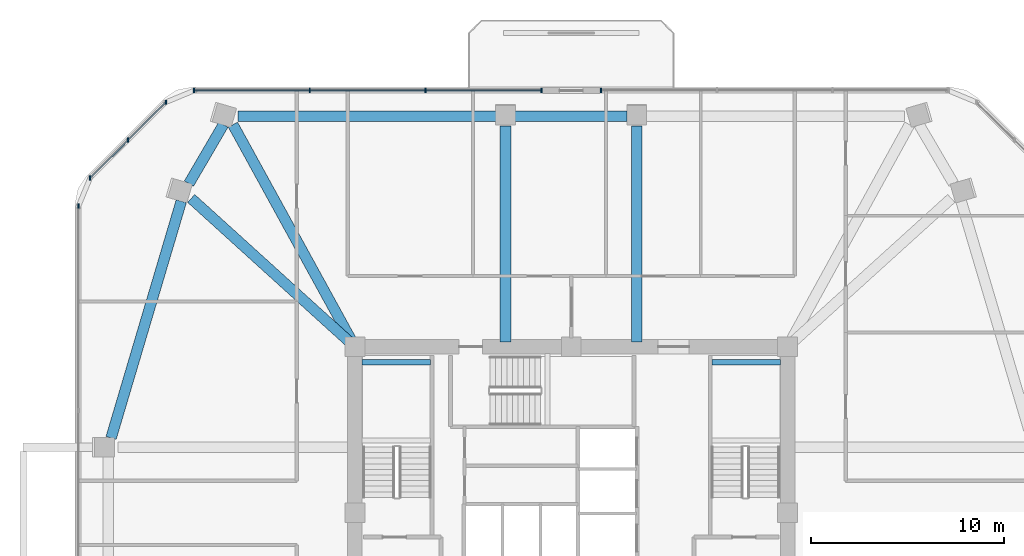
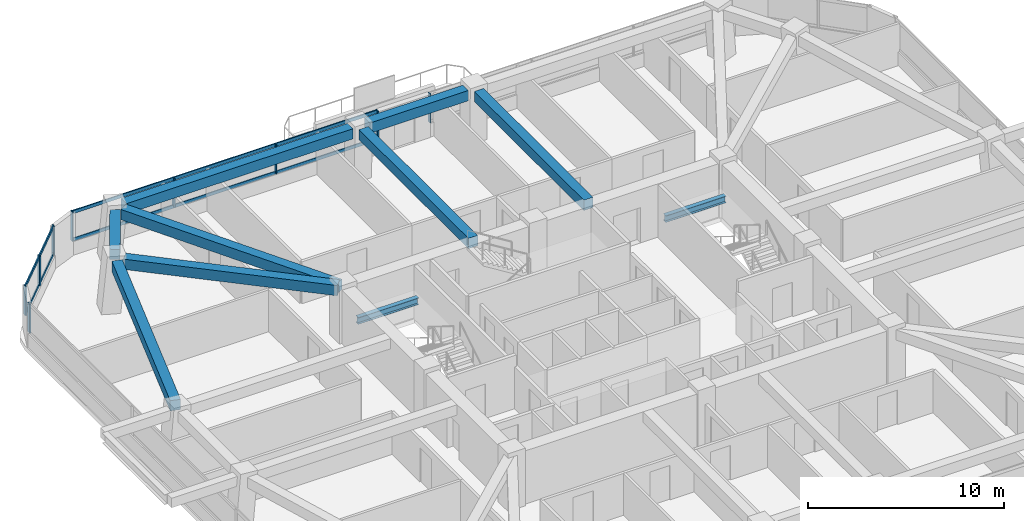
# One storey, part 5 of 13: 13 members, 10 beams, 4 elements without a shape of their own.
"""IFC4 building model written with IfcOpenShell, lengths in metres."""

from ifc_helpers import new_model, si_unit, derived_unit, direction, frame, origin, origin_2d, place, context, subcontext, project, spatial, rectangle, i_section, extrude, material, material_profile, profile_set, type_object, element, aggregate, save


model = new_model("IFC4")

# Units and contexts
model_context = context("Model", 3, precision=1e-05, world=origin(), true_north=direction((0.0, 1.0)))
body_context = subcontext(model_context, "Body", "Model", "MODEL_VIEW")
ifc_project = project(units=[si_unit("LENGTHUNIT", "METRE"), si_unit("AREAUNIT", "SQUARE_METRE"), si_unit("VOLUMEUNIT", "CUBIC_METRE"), si_unit("PLANEANGLEUNIT", "RADIAN"), si_unit("MASSUNIT", "GRAM", prefix="KILO"), derived_unit("THERMALTRANSMITTANCEUNIT", [(si_unit("POWERUNIT", "WATT"), 1), (si_unit("LENGTHUNIT", "METRE"), -2), (si_unit("THERMODYNAMICTEMPERATUREUNIT", "KELVIN"), -1)])], contexts=[model_context])

# Site, building, storey
site_placement = place(None, origin())
site = spatial("IfcSite", under=ifc_project, at=site_placement, CompositionType="ELEMENT")
building_placement = place(site_placement, origin())
building = spatial("IfcBuilding", under=site, at=building_placement, Name="Koralith Skygarden Medical Center", CompositionType="ELEMENT")
storey_placement = place(building_placement, frame((0.0, 0.0, 102.780029296875)))
storey = spatial("IfcBuildingStorey", under=building, at=storey_placement, Name="L26", CompositionType="ELEMENT", Elevation=102.780029296875)

# Curtain wall, member
ifc_material_1 = material(Name="Clear Laminated Glass", Category="glass")
curtain_wall_type = type_object("IfcCurtainWallType", Name="CW-3 Zone 2 Faceted Solar Curtain Wall", PredefinedType="NOTDEFINED", material=ifc_material_1)
curtain_wall_1_placement = place(storey_placement, origin())
curtain_wall_1 = element("IfcCurtainWall", 1, at=curtain_wall_1_placement, inside=storey, type_object=curtain_wall_type, Name="Curtain Wall CW-L26-N-L", PredefinedType="NOTDEFINED")
ifc_material_2 = material(Name="Aluminium 6063-T6", Category="aluminium")
ifc_material_profile_1 = material_profile(ifc_material_2, rectangle(XDim=0.073974609375, YDim=0.219970703125, at=origin_2d()), Name="MUL74X220")
ifc_profile_set_1 = profile_set([ifc_material_profile_1], Name="Aluminium 6063-T6")
member_type_1 = type_object("IfcMemberType", Name="CW-3 Extruded Mullion 74x220", PredefinedType="MULLION", material=ifc_profile_set_1)
member_1_placement = place(storey_placement, frame((38.541015625, 47.76611328125, 0.849853515625), z_axis=(0.0, 0.0, 1.0), x_axis=(1.0, 0.0, 0.0)))
member_1 = element("IfcMember", 2, at=member_1_placement, type_object=member_type_1, Name="CW-L26-N-L Mullion 4", PredefinedType="MULLION", context=body_context, shape_type="SweptSolid", body=[
    extrude(rectangle(XDim=0.073974609375, YDim=0.219970703125, at=origin_2d()), origin(), (0.0, 0.0, 1.0), 1.820068359375),
])
aggregate(curtain_wall_1, [member_1])

# Curtain wall, members
curtain_wall_2_placement = place(storey_placement, origin())
curtain_wall_2 = element("IfcCurtainWall", 3, at=curtain_wall_2_placement, inside=storey, type_object=curtain_wall_type, Name="Curtain Wall CW-L26-N-R", PredefinedType="NOTDEFINED")
member_2_placement = place(storey_placement, frame((35.4609375, 47.76611328125, 0.849853515625), z_axis=(0.0, 0.0, 1.0), x_axis=(1.0, 0.0, 0.0)))
member_2 = element("IfcMember", 4, at=member_2_placement, type_object=member_type_1, Name="CW-L26-N-R Mullion 1", PredefinedType="MULLION", context=body_context, shape_type="SweptSolid", body=[
    extrude(rectangle(XDim=0.073974609375, YDim=0.219970703125, at=origin_2d()), origin(), (0.0, 0.0, 1.0), 1.820068359375),
])
member_3_placement = place(storey_placement, frame((29.4619140625, 47.76611328125, 0.849853515625), z_axis=(0.0, 0.0, 1.0), x_axis=(1.0, 0.0, 0.0)))
member_3 = element("IfcMember", 5, at=member_3_placement, type_object=member_type_1, Name="CW-L26-N-R Mullion 2", PredefinedType="MULLION", context=body_context, shape_type="SweptSolid", body=[
    extrude(rectangle(XDim=0.073974609375, YDim=0.219970703125, at=origin_2d()), origin(), (0.0, 0.0, 1.0), 1.820068359375),
])
member_4_placement = place(storey_placement, frame((23.462890625, 47.76611328125, 0.849853515625), z_axis=(0.0, 0.0, 1.0), x_axis=(1.0, 0.0, 0.0)))
member_4 = element("IfcMember", 6, at=member_4_placement, type_object=member_type_1, Name="CW-L26-N-R Mullion 3", PredefinedType="MULLION", context=body_context, shape_type="SweptSolid", body=[
    extrude(rectangle(XDim=0.073974609375, YDim=0.219970703125, at=origin_2d()), origin(), (0.0, 0.0, 1.0), 1.820068359375),
])
member_5_placement = place(storey_placement, frame((17.464111328125, 47.76611328125, 0.849853515625), z_axis=(0.0, 0.0, 1.0), x_axis=(1.0, 0.0, 0.0)))
member_5 = element("IfcMember", 7, at=member_5_placement, type_object=member_type_1, Name="CW-L26-N-R Mullion 4", PredefinedType="MULLION", context=body_context, shape_type="SweptSolid", body=[
    extrude(rectangle(XDim=0.073974609375, YDim=0.219970703125, at=origin_2d()), origin(), (0.0, 0.0, 1.0), 1.820068359375),
])

curtain_wall_3_placement = place(storey_placement, origin())
curtain_wall_3 = element("IfcCurtainWall", 8, at=curtain_wall_3_placement, inside=storey, type_object=curtain_wall_type, Name="Curtain Wall CW-L26-NW", PredefinedType="NOTDEFINED")
member_6_placement = place(storey_placement, frame((16.012939453125, 47.1650390625, 0.849853515625), z_axis=(0.0, 0.0, 1.0), x_axis=(1.0, 0.0, 0.0)))
member_6 = element("IfcMember", 9, at=member_6_placement, type_object=member_type_1, Name="CW-L26-NW Mullion 1", PredefinedType="MULLION", context=body_context, shape_type="SweptSolid", body=[
    extrude(rectangle(XDim=0.073974609375, YDim=0.219970703125, at=origin_2d()), origin(), (0.0, 0.0, 1.0), 1.820068359375),
])
member_7_placement = place(storey_placement, frame((14.052001953125, 45.202880859375, 0.849853515625), z_axis=(0.0, 0.0, 1.0), x_axis=(1.0, 0.0, 0.0)))
member_7 = element("IfcMember", 10, at=member_7_placement, type_object=member_type_1, Name="CW-L26-NW Mullion 2", PredefinedType="MULLION", context=body_context, shape_type="SweptSolid", body=[
    extrude(rectangle(XDim=0.073974609375, YDim=0.219970703125, at=origin_2d()), origin(), (0.0, 0.0, 1.0), 1.820068359375),
])
member_8_placement = place(storey_placement, frame((12.090087890625, 43.241943359375, 0.849853515625), z_axis=(0.0, 0.0, 1.0), x_axis=(1.0, 0.0, 0.0)))
member_8 = element("IfcMember", 11, at=member_8_placement, type_object=member_type_1, Name="CW-L26-NW Mullion 3", PredefinedType="MULLION", context=body_context, shape_type="SweptSolid", body=[
    extrude(rectangle(XDim=0.073974609375, YDim=0.219970703125, at=origin_2d()), origin(), (0.0, 0.0, 1.0), 1.820068359375),
])

# Curtain wall, member
curtain_wall_4_placement = place(storey_placement, origin())
curtain_wall_4 = element("IfcCurtainWall", 12, at=curtain_wall_4_placement, inside=storey, type_object=curtain_wall_type, Name="Curtain Wall CW-L26-W", PredefinedType="NOTDEFINED")
member_9_placement = place(storey_placement, frame((11.489013671875, 41.791015625, 0.849853515625), z_axis=(0.0, 0.0, 1.0), x_axis=(1.0, 0.0, 0.0)))
member_9 = element("IfcMember", 13, at=member_9_placement, type_object=member_type_1, Name="CW-L26-W Mullion 1", PredefinedType="MULLION", context=body_context, shape_type="SweptSolid", body=[
    extrude(rectangle(XDim=0.073974609375, YDim=0.219970703125, at=origin_2d()), origin(), (0.0, 0.0, 1.0), 1.820068359375),
])
aggregate(curtain_wall_4, [member_9])

# Member
ifc_material_profile_2 = material_profile(ifc_material_2, rectangle(XDim=0.069091796875, YDim=0.197998046875, at=origin_2d()), Name="TRN69X198")
ifc_profile_set_2 = profile_set([ifc_material_profile_2], Name="Aluminium 6063-T6")
member_type_2 = type_object("IfcMemberType", Name="CW-3 Thermal Transom 69x198", PredefinedType="USERDEFINED", material=ifc_profile_set_2)
member_10_placement = place(storey_placement, frame((35.4609375, 47.76611328125, 0.89990234375), z_axis=(-1.0, 0.0, 0.0), x_axis=(0.0, -1.0, 0.0)))
member_10 = element("IfcMember", 14, at=member_10_placement, type_object=member_type_2, Name="CW-L26-N-R Transom 1", ObjectType="TRANSOM", PredefinedType="USERDEFINED", context=body_context, shape_type="SweptSolid", body=[
    extrude(rectangle(XDim=0.069091796875, YDim=0.197998046875, at=origin_2d()), origin(), (0.0, 0.0, 1.0), 17.996826171875),
])

member_11_placement = place(storey_placement, frame((35.4609375, 47.76611328125, 2.619873046875), z_axis=(-1.0, 0.0, 0.0), x_axis=(0.0, -1.0, 0.0)))
member_11 = element("IfcMember", 15, at=member_11_placement, type_object=member_type_2, Name="CW-L26-N-R Transom 2", ObjectType="TRANSOM", PredefinedType="USERDEFINED", context=body_context, shape_type="SweptSolid", body=[
    extrude(rectangle(XDim=0.069091796875, YDim=0.197998046875, at=origin_2d()), origin(), (0.0, 0.0, 1.0), 17.996826171875),
])

aggregate(curtain_wall_2, [member_2, member_3, member_4, member_5, member_10, member_11])

member_12_placement = place(storey_placement, frame((16.012939453125, 47.1650390625, 0.89990234375), z_axis=(-0.707084777957, -0.707128783731, 0.0), x_axis=(0.707128783731, -0.707084777957, 0.0)))
member_12 = element("IfcMember", 16, at=member_12_placement, type_object=member_type_2, Name="CW-L26-NW Transom 1", ObjectType="TRANSOM", PredefinedType="USERDEFINED", context=body_context, shape_type="SweptSolid", body=[
    extrude(rectangle(XDim=0.069091796875, YDim=0.197998046875, at=origin_2d()), origin(), (0.0, 0.0, 1.0), 5.5478515625),
])

member_13_placement = place(storey_placement, frame((16.012939453125, 47.1650390625, 2.619873046875), z_axis=(-0.707084777957, -0.707128783731, 0.0), x_axis=(0.707128783731, -0.707084777957, 0.0)))
member_13 = element("IfcMember", 17, at=member_13_placement, type_object=member_type_2, Name="CW-L26-NW Transom 2", ObjectType="TRANSOM", PredefinedType="USERDEFINED", context=body_context, shape_type="SweptSolid", body=[
    extrude(rectangle(XDim=0.069091796875, YDim=0.197998046875, at=origin_2d()), origin(), (0.0, 0.0, 1.0), 5.5478515625),
])

aggregate(curtain_wall_3, [member_6, member_7, member_8, member_12, member_13])

# Beams
ifc_material_3 = material(Name="Steel ASTM A992 Grade 50", Category="steel")
ifc_material_profile_3 = material_profile(ifc_material_3, i_section(OverallWidth=0.260009765625, OverallDepth=0.4150390625, WebThickness=0.010009765625, FlangeThickness=0.016845703125, at=origin_2d()), Name="W16X67")
ifc_profile_set_3 = profile_set([ifc_material_profile_3], Name="Steel ASTM A992 Grade 50")
beam_type_1 = type_object("IfcBeamType", Name="Clinical Floor Joist W16X67", PredefinedType="JOIST", material=ifc_profile_set_3)
for number, where, z_axis, x_axis, name in (
    (18, (26.155029296875, 33.699951171875, 1.39208984375), (1.0, 0.0, 0.0), (0.0, 1.0, 0.0), "L26 Stair ST1 Half-Landing Support Beam 1B"),
    (19, (44.280029296875, 33.699951171875, 1.39208984375), (1.0, 0.0, 0.0), (0.0, 1.0, 0.0), "L26 Stair ST2 Half-Landing Support Beam 1B"),
):
    element("IfcBeam", number, at=place(storey_placement, frame(where, z_axis=z_axis, x_axis=x_axis)), inside=storey, type_object=beam_type_1, Name=name, PredefinedType="JOIST", context=body_context, shape_type="SweptSolid", body=[
        extrude(i_section(OverallWidth=0.260009765625, OverallDepth=0.4150390625, WebThickness=0.010009765625, FlangeThickness=0.016845703125, at=origin_2d()), origin(), (0.0, 0.0, 1.0), 3.56494140625),
    ])
ifc_material_4 = material(Name="Concrete C45/55", Category="concrete")
ifc_material_profile_4 = material_profile(ifc_material_4, rectangle(XDim=0.550048828125, YDim=0.639892578125, at=origin_2d()), Name="RCB550X640")
ifc_profile_set_4 = profile_set([ifc_material_profile_4], Name="Concrete C45/55")
beam_type_2 = type_object("IfcBeamType", Name="Radial Collector Beam RCB550X640", PredefinedType="BEAM", material=ifc_profile_set_4)
for number, where, z_axis, x_axis, name in (
    (20, (40.39990234375, 34.75, 3.0), (0.0, 1.0, 0.0), (-1.0, 0.0, 0.0), "L26 Radial Collector Beam RB-12"),
    (21, (33.60009765625, 34.75, 3.0), (0.0, 1.0, 0.0), (-1.0, 0.0, 0.0), "L26 Radial Collector Beam RB-13"),
):
    element("IfcBeam", number, at=place(storey_placement, frame(where, z_axis=z_axis, x_axis=x_axis)), inside=storey, type_object=beam_type_2, Name=name, PredefinedType="BEAM", context=body_context, shape_type="SweptSolid", body=[
        extrude(rectangle(XDim=0.550048828125, YDim=0.639892578125, at=origin_2d()), origin(), (0.0, 0.0, 1.0), 11.18798828125),
    ])
beam_1_placement = place(storey_placement, frame((25.679931640625, 34.718994140625, 3.0), z_axis=(-0.481411133135, 0.876494906371, 0.0), x_axis=(-0.876494906371, -0.481411133135, 0.0)))
element("IfcBeam", 22, at=beam_1_placement, inside=storey, type_object=beam_type_2, Name="L26 Radial Collector Beam RB-14", PredefinedType="BEAM", context=body_context, shape_type="SweptSolid", body=[
    extrude(rectangle(XDim=0.550048828125, YDim=0.639892578125, at=origin_2d()), origin(), (0.0, 0.0, 1.0), 12.87060546875),
])
beam_2_placement = place(storey_placement, frame((25.614990234375, 34.66796875, 3.0), z_axis=(-0.741061587835, 0.671437058134, 0.0), x_axis=(-0.671437058134, -0.741061587835, 0.0)))
element("IfcBeam", 23, at=beam_2_placement, inside=storey, type_object=beam_type_2, Name="L26 Radial Collector Beam RB-15", PredefinedType="BEAM", context=body_context, shape_type="SweptSolid", body=[
    extrude(rectangle(XDim=0.550048828125, YDim=0.639892578125, at=origin_2d()), origin(), (0.0, 0.0, 1.0), 11.189453125),
])
ifc_material_profile_5 = material_profile(ifc_material_4, rectangle(XDim=0.550048828125, YDim=0.639892578125, at=origin_2d()), Name="RCB550X640")
ifc_profile_set_5 = profile_set([ifc_material_profile_5], Name="Concrete C45/55")
beam_type_3 = type_object("IfcBeamType", Name="Zone 2-3 Spandrel Beam RCB550X640", PredefinedType="SPANDREL", material=ifc_profile_set_5)
beam_3_placement = place(storey_placement, frame((39.89990234375, 46.43798828125, 3.0), z_axis=(-1.0, 0.0, 0.0), x_axis=(0.0, -1.0, 0.0)))
element("IfcBeam", 24, at=beam_3_placement, inside=storey, type_object=beam_type_3, Name="L26 Perimeter Spandrel Beam SP-12", PredefinedType="SPANDREL", context=body_context, shape_type="SweptSolid", body=[
    extrude(rectangle(XDim=0.550048828125, YDim=0.639892578125, at=origin_2d()), origin(), (0.0, 0.0, 1.0), 5.7998046875),
])
beam_4_placement = place(storey_placement, frame((33.10009765625, 46.43798828125, 3.0), z_axis=(-1.0, 0.0, 0.0), x_axis=(0.0, -1.0, 0.0)))
element("IfcBeam", 25, at=beam_4_placement, inside=storey, type_object=beam_type_3, Name="L26 Perimeter Spandrel Beam SP-13", PredefinedType="SPANDREL", context=body_context, shape_type="SweptSolid", body=[
    extrude(rectangle(XDim=0.550048828125, YDim=0.639892578125, at=origin_2d()), origin(), (0.0, 0.0, 1.0), 13.357177734375),
])
beam_5_placement = place(storey_placement, frame((18.990966796875, 46.006103515625, 3.0), z_axis=(-0.504616741927, -0.863343468016, 0.0), x_axis=(0.863343468016, -0.504616741927, 0.0)))
element("IfcBeam", 26, at=beam_5_placement, inside=storey, type_object=beam_type_3, Name="L26 Perimeter Spandrel Beam SP-14", PredefinedType="SPANDREL", context=body_context, shape_type="SweptSolid", body=[
    extrude(rectangle(XDim=0.550048828125, YDim=0.639892578125, at=origin_2d()), origin(), (0.0, 0.0, 1.0), 3.541015625),
])
beam_6_placement = place(storey_placement, frame((16.81005859375, 42.0380859375, 3.0), z_axis=(-0.284352900975, -0.958719681506, 0.0), x_axis=(0.958719681506, -0.284352900975, 0.0)))
element("IfcBeam", 27, at=beam_6_placement, inside=storey, type_object=beam_type_3, Name="L26 Perimeter Spandrel Beam SP-15", PredefinedType="SPANDREL", context=body_context, shape_type="SweptSolid", body=[
    extrude(rectangle(XDim=0.550048828125, YDim=0.639892578125, at=origin_2d()), origin(), (0.0, 0.0, 1.0), 12.786865234375),
])

save(model, "model.ifc")
